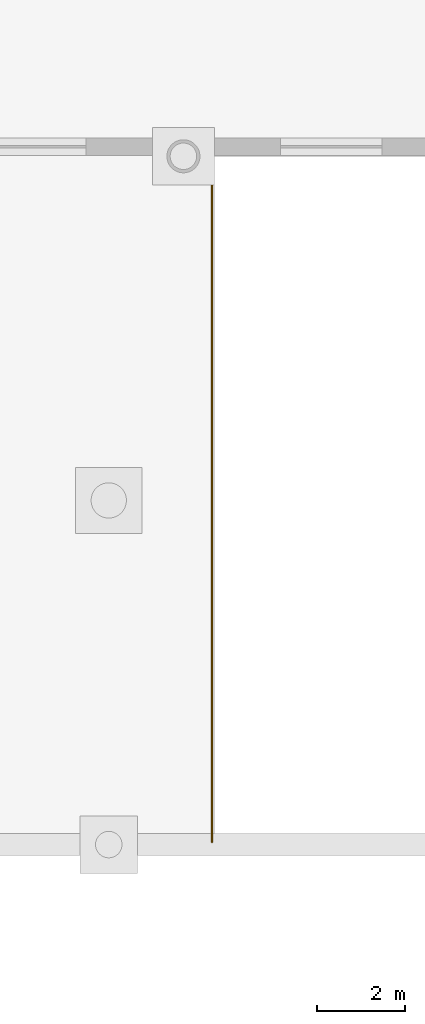
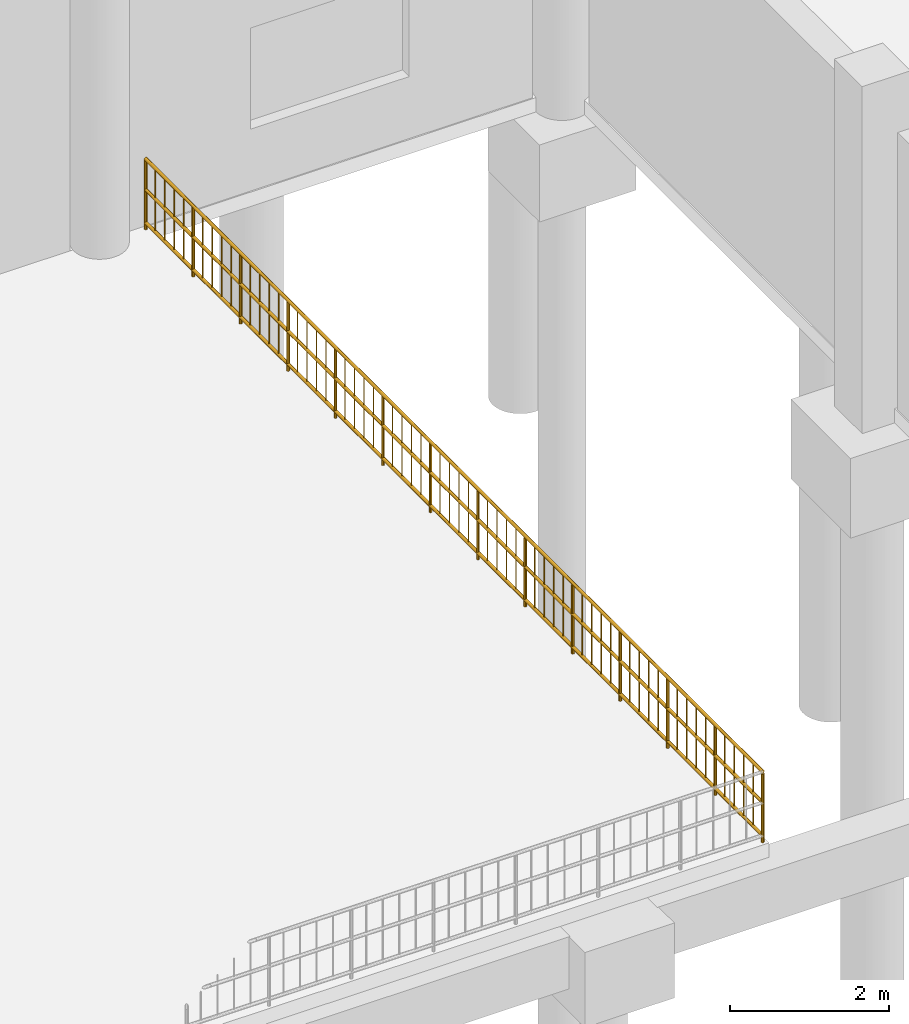
# One storey, part 41 of 48: 1 railing.
"""IFC4 building model written with IfcOpenShell, lengths in metres."""

from ifc_helpers import new_model, si_unit, direction, frame, origin, origin_2d, place, context, subcontext, project, spatial, circle, extrude, material, layer, layer_set, type_object, element, save


model = new_model("IFC4")

# Units and contexts
model_context = context("Model", 3, precision=1e-05, world=origin(), true_north=direction((0.0, 1.0)))
body_context = subcontext(model_context, "Body", "Model", "MODEL_VIEW")
ifc_project = project(units=[si_unit("LENGTHUNIT", "METRE"), si_unit("AREAUNIT", "SQUARE_METRE"), si_unit("VOLUMEUNIT", "CUBIC_METRE"), si_unit("PLANEANGLEUNIT", "RADIAN"), si_unit("MASSUNIT", "GRAM", prefix="KILO")], contexts=[model_context])

# Site, building, storey
site_placement = place(None, origin())
site = spatial("IfcSite", under=ifc_project, at=site_placement, CompositionType="ELEMENT")
building_placement = place(site_placement, origin())
building = spatial("IfcBuilding", under=site, at=building_placement, Name="Nabrawat Pavilion Hospital", CompositionType="ELEMENT")
storey_placement = place(building_placement, frame((0.0, 0.0, -5.10009765625)))
storey = spatial("IfcBuildingStorey", under=building, at=storey_placement, Name="B1", CompositionType="ELEMENT", Elevation=-5.10009765625)

# Railing
ifc_material = material(Name="Stainless Steel 316", Category="steel")
ifc_layer = layer(ifc_material, 0.070068359375, Name="Stainless Steel 316")
ifc_layer_set = layer_set([ifc_layer], Name="Stainless Steel 316")
railing_type = type_object("IfcRailingType", Name="Exterior Clinical Terrace Safety Guardrail 1100", PredefinedType="GUARDRAIL", material=ifc_layer_set)
railing_placement = place(storey_placement, frame((119.93994140625, 0.06005859375, 0.0)))
element("IfcRailing", 1, at=railing_placement, inside=storey, type_object=railing_type, Name="B1 Terrace Edge Safety Guardrail T_B1_METRO_FORECOURT East", PredefinedType="GUARDRAIL", context=body_context, shape_type="SweptSolid", body=[
    extrude(circle(Radius=0.02392578125, at=origin_2d()), frame((0.0, 0.0, 1.076171875), z_axis=(0.0, 1.0, 0.0), x_axis=(-1.0, 0.0, 0.0)), (0.0, 0.0, 1.0), 15.5),
    extrude(circle(Radius=0.02392578125, at=origin_2d()), frame((0.0, 0.0, 0.10009765625), z_axis=(0.0, 1.0, 0.0), x_axis=(-1.0, 0.0, 0.0)), (0.0, 0.0, 1.0), 15.5),
    extrude(circle(Radius=0.02392578125, at=origin_2d()), frame((0.0, 0.0, 0.60498046875), z_axis=(0.0, 1.0, 0.0), x_axis=(-1.0, 0.0, 0.0)), (0.0, 0.0, 1.0), 15.5),
    extrude(circle(Radius=0.008056640625, at=origin_2d()), frame((0.0, 0.238525390625, 0.10009765625)), (0.0, 0.0, 1.0), 0.951904296875),
    extrude(circle(Radius=0.008056640625, at=origin_2d()), frame((0.0, 0.476806640625, 0.10009765625)), (0.0, 0.0, 1.0), 0.951904296875),
    extrude(circle(Radius=0.008056640625, at=origin_2d()), frame((0.0, 0.71533203125, 0.10009765625)), (0.0, 0.0, 1.0), 0.951904296875),
    extrude(circle(Radius=0.008056640625, at=origin_2d()), frame((0.0, 0.953857421875, 0.10009765625)), (0.0, 0.0, 1.0), 0.951904296875),
    extrude(circle(Radius=0.008056640625, at=origin_2d()), frame((0.0, 1.4306640625, 0.10009765625)), (0.0, 0.0, 1.0), 0.951904296875),
    extrude(circle(Radius=0.008056640625, at=origin_2d()), frame((0.0, 1.669189453125, 0.10009765625)), (0.0, 0.0, 1.0), 0.951904296875),
    extrude(circle(Radius=0.008056640625, at=origin_2d()), frame((0.0, 1.90771484375, 0.10009765625)), (0.0, 0.0, 1.0), 0.951904296875),
    extrude(circle(Radius=0.008056640625, at=origin_2d()), frame((0.0, 2.146240234375, 0.10009765625)), (0.0, 0.0, 1.0), 0.951904296875),
    extrude(circle(Radius=0.008056640625, at=origin_2d()), frame((0.0, 2.623046875, 0.10009765625)), (0.0, 0.0, 1.0), 0.951904296875),
    extrude(circle(Radius=0.008056640625, at=origin_2d()), frame((0.0, 2.861572265625, 0.10009765625)), (0.0, 0.0, 1.0), 0.951904296875),
    extrude(circle(Radius=0.008056640625, at=origin_2d()), frame((0.0, 3.10009765625, 0.10009765625)), (0.0, 0.0, 1.0), 0.951904296875),
    extrude(circle(Radius=0.008056640625, at=origin_2d()), frame((0.0, 3.33837890625, 0.10009765625)), (0.0, 0.0, 1.0), 0.951904296875),
    extrude(circle(Radius=0.008056640625, at=origin_2d()), frame((0.0, 3.8154296875, 0.10009765625)), (0.0, 0.0, 1.0), 0.951904296875),
    extrude(circle(Radius=0.008056640625, at=origin_2d()), frame((0.0, 4.053955078125, 0.10009765625)), (0.0, 0.0, 1.0), 0.951904296875),
    extrude(circle(Radius=0.008056640625, at=origin_2d()), frame((0.0, 4.292236328125, 0.10009765625)), (0.0, 0.0, 1.0), 0.951904296875),
    extrude(circle(Radius=0.008056640625, at=origin_2d()), frame((0.0, 4.53076171875, 0.10009765625)), (0.0, 0.0, 1.0), 0.951904296875),
    extrude(circle(Radius=0.008056640625, at=origin_2d()), frame((0.0, 5.0078125, 0.10009765625)), (0.0, 0.0, 1.0), 0.951904296875),
    extrude(circle(Radius=0.008056640625, at=origin_2d()), frame((0.0, 5.24609375, 0.10009765625)), (0.0, 0.0, 1.0), 0.951904296875),
    extrude(circle(Radius=0.008056640625, at=origin_2d()), frame((0.0, 5.484619140625, 0.10009765625)), (0.0, 0.0, 1.0), 0.951904296875),
    extrude(circle(Radius=0.008056640625, at=origin_2d()), frame((0.0, 5.72314453125, 0.10009765625)), (0.0, 0.0, 1.0), 0.951904296875),
    extrude(circle(Radius=0.008056640625, at=origin_2d()), frame((0.0, 6.199951171875, 0.10009765625)), (0.0, 0.0, 1.0), 0.951904296875),
    extrude(circle(Radius=0.008056640625, at=origin_2d()), frame((0.0, 6.4384765625, 0.10009765625)), (0.0, 0.0, 1.0), 0.951904296875),
    extrude(circle(Radius=0.008056640625, at=origin_2d()), frame((0.0, 6.677001953125, 0.10009765625)), (0.0, 0.0, 1.0), 0.951904296875),
    extrude(circle(Radius=0.008056640625, at=origin_2d()), frame((0.0, 6.915283203125, 0.10009765625)), (0.0, 0.0, 1.0), 0.951904296875),
    extrude(circle(Radius=0.008056640625, at=origin_2d()), frame((0.0, 7.392333984375, 0.10009765625)), (0.0, 0.0, 1.0), 0.951904296875),
    extrude(circle(Radius=0.008056640625, at=origin_2d()), frame((0.0, 7.630859375, 0.10009765625)), (0.0, 0.0, 1.0), 0.951904296875),
    extrude(circle(Radius=0.008056640625, at=origin_2d()), frame((0.0, 7.869140625, 0.10009765625)), (0.0, 0.0, 1.0), 0.951904296875),
    extrude(circle(Radius=0.008056640625, at=origin_2d()), frame((0.0, 8.107666015625, 0.10009765625)), (0.0, 0.0, 1.0), 0.951904296875),
    extrude(circle(Radius=0.008056640625, at=origin_2d()), frame((0.0, 8.584716796875, 0.10009765625)), (0.0, 0.0, 1.0), 0.951904296875),
    extrude(circle(Radius=0.008056640625, at=origin_2d()), frame((0.0, 8.822998046875, 0.10009765625)), (0.0, 0.0, 1.0), 0.951904296875),
    extrude(circle(Radius=0.008056640625, at=origin_2d()), frame((0.0, 9.0615234375, 0.10009765625)), (0.0, 0.0, 1.0), 0.951904296875),
    extrude(circle(Radius=0.008056640625, at=origin_2d()), frame((0.0, 9.300048828125, 0.10009765625)), (0.0, 0.0, 1.0), 0.951904296875),
    extrude(circle(Radius=0.008056640625, at=origin_2d()), frame((0.0, 9.77685546875, 0.10009765625)), (0.0, 0.0, 1.0), 0.951904296875),
    extrude(circle(Radius=0.008056640625, at=origin_2d()), frame((0.0, 10.015380859375, 0.10009765625)), (0.0, 0.0, 1.0), 0.951904296875),
    extrude(circle(Radius=0.008056640625, at=origin_2d()), frame((0.0, 10.25390625, 0.10009765625)), (0.0, 0.0, 1.0), 0.951904296875),
    extrude(circle(Radius=0.008056640625, at=origin_2d()), frame((0.0, 10.4921875, 0.10009765625)), (0.0, 0.0, 1.0), 0.951904296875),
    extrude(circle(Radius=0.008056640625, at=origin_2d()), frame((0.0, 10.96923828125, 0.10009765625)), (0.0, 0.0, 1.0), 0.951904296875),
    extrude(circle(Radius=0.008056640625, at=origin_2d()), frame((0.0, 11.207763671875, 0.10009765625)), (0.0, 0.0, 1.0), 0.951904296875),
    extrude(circle(Radius=0.008056640625, at=origin_2d()), frame((0.0, 11.446044921875, 0.10009765625)), (0.0, 0.0, 1.0), 0.951904296875),
    extrude(circle(Radius=0.008056640625, at=origin_2d()), frame((0.0, 11.6845703125, 0.10009765625)), (0.0, 0.0, 1.0), 0.951904296875),
    extrude(circle(Radius=0.008056640625, at=origin_2d()), frame((0.0, 12.16162109375, 0.10009765625)), (0.0, 0.0, 1.0), 0.951904296875),
    extrude(circle(Radius=0.008056640625, at=origin_2d()), frame((0.0, 12.39990234375, 0.10009765625)), (0.0, 0.0, 1.0), 0.951904296875),
    extrude(circle(Radius=0.008056640625, at=origin_2d()), frame((0.0, 12.638427734375, 0.10009765625)), (0.0, 0.0, 1.0), 0.951904296875),
    extrude(circle(Radius=0.008056640625, at=origin_2d()), frame((0.0, 12.876953125, 0.10009765625)), (0.0, 0.0, 1.0), 0.951904296875),
    extrude(circle(Radius=0.008056640625, at=origin_2d()), frame((0.0, 13.353759765625, 0.10009765625)), (0.0, 0.0, 1.0), 0.951904296875),
    extrude(circle(Radius=0.008056640625, at=origin_2d()), frame((0.0, 13.59228515625, 0.10009765625)), (0.0, 0.0, 1.0), 0.951904296875),
    extrude(circle(Radius=0.008056640625, at=origin_2d()), frame((0.0, 13.830810546875, 0.10009765625)), (0.0, 0.0, 1.0), 0.951904296875),
    extrude(circle(Radius=0.008056640625, at=origin_2d()), frame((0.0, 14.0693359375, 0.10009765625)), (0.0, 0.0, 1.0), 0.951904296875),
    extrude(circle(Radius=0.008056640625, at=origin_2d()), frame((0.0, 14.546142578125, 0.10009765625)), (0.0, 0.0, 1.0), 0.951904296875),
    extrude(circle(Radius=0.008056640625, at=origin_2d()), frame((0.0, 14.78466796875, 0.10009765625)), (0.0, 0.0, 1.0), 0.951904296875),
    extrude(circle(Radius=0.008056640625, at=origin_2d()), frame((0.0, 15.023193359375, 0.10009765625)), (0.0, 0.0, 1.0), 0.951904296875),
    extrude(circle(Radius=0.008056640625, at=origin_2d()), frame((0.0, 15.261474609375, 0.10009765625)), (0.0, 0.0, 1.0), 0.951904296875),
    extrude(circle(Radius=0.02099609375, at=origin_2d()), origin(), (0.0, 0.0, 1.0), 1.052001953125),
    extrude(circle(Radius=0.02099609375, at=origin_2d()), frame((0.0, 1.1923828125, 0.0)), (0.0, 0.0, 1.0), 1.052001953125),
    extrude(circle(Radius=0.02099609375, at=origin_2d()), frame((0.0, 2.384521484375, 0.0)), (0.0, 0.0, 1.0), 1.052001953125),
    extrude(circle(Radius=0.02099609375, at=origin_2d()), frame((0.0, 3.576904296875, 0.0)), (0.0, 0.0, 1.0), 1.052001953125),
    extrude(circle(Radius=0.02099609375, at=origin_2d()), frame((0.0, 4.769287109375, 0.0)), (0.0, 0.0, 1.0), 1.052001953125),
    extrude(circle(Radius=0.02099609375, at=origin_2d()), frame((0.0, 5.96142578125, 0.0)), (0.0, 0.0, 1.0), 1.052001953125),
    extrude(circle(Radius=0.02099609375, at=origin_2d()), frame((0.0, 7.15380859375, 0.0)), (0.0, 0.0, 1.0), 1.052001953125),
    extrude(circle(Radius=0.02099609375, at=origin_2d()), frame((0.0, 8.34619140625, 0.0)), (0.0, 0.0, 1.0), 1.052001953125),
    extrude(circle(Radius=0.02099609375, at=origin_2d()), frame((0.0, 9.53857421875, 0.0)), (0.0, 0.0, 1.0), 1.052001953125),
    extrude(circle(Radius=0.02099609375, at=origin_2d()), frame((0.0, 10.730712890625, 0.0)), (0.0, 0.0, 1.0), 1.052001953125),
    extrude(circle(Radius=0.02099609375, at=origin_2d()), frame((0.0, 11.923095703125, 0.0)), (0.0, 0.0, 1.0), 1.052001953125),
    extrude(circle(Radius=0.02099609375, at=origin_2d()), frame((0.0, 13.115478515625, 0.0)), (0.0, 0.0, 1.0), 1.052001953125),
    extrude(circle(Radius=0.02099609375, at=origin_2d()), frame((0.0, 14.3076171875, 0.0)), (0.0, 0.0, 1.0), 1.052001953125),
    extrude(circle(Radius=0.02099609375, at=origin_2d()), frame((0.0, 15.5, 0.0)), (0.0, 0.0, 1.0), 1.052001953125),
])

save(model, "model.ifc")
